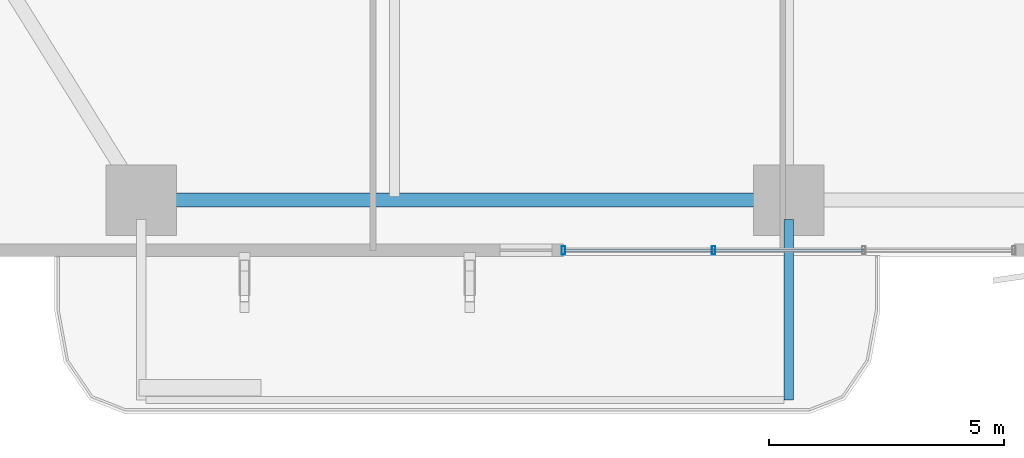
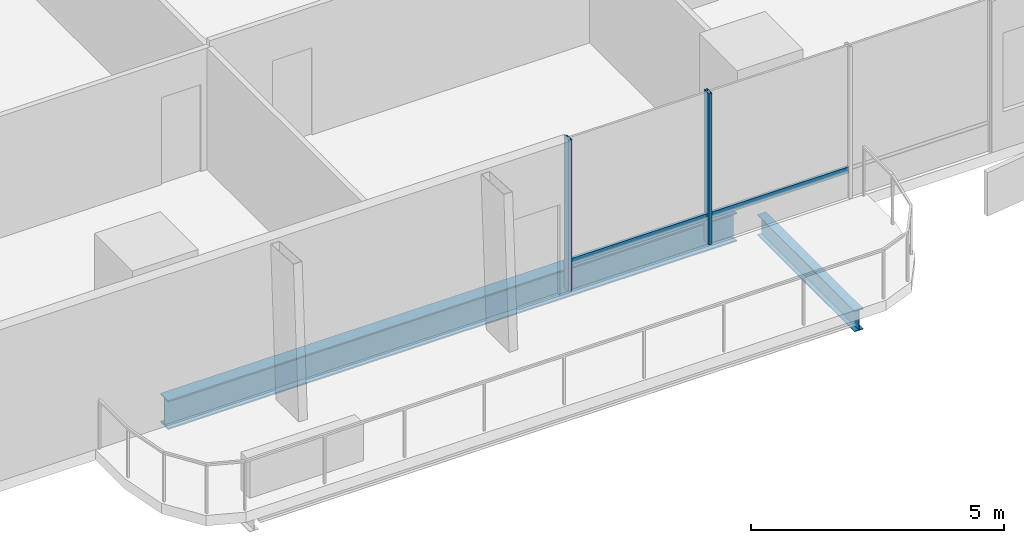
# One storey, part 2 of 23: 4 members, 2 beams, 1 element without a shape of its own.
"""IFC4 building model written with IfcOpenShell, lengths in metres."""

import ifcopenshell
import ifcopenshell.guid

model = None  # the IFC model being written
_history = None  # IfcOwnerHistory: only IFC2X3 demands one
_inside = {}  # id of a spatial element -> (the spatial element, [elements in it])
_under = {}  # id of a project, library or spatial element -> (it, [spatial elements below it])
_declared = {}  # id of a project -> (the project, [libraries it declares])
_typed = {}  # id of a type object -> (the type object, [elements of that type])
_made_of = {}  # id of a material, layer set ... -> (it, [elements and type objects made of it])


def new_model(schema):
    """Start an empty IFC model of exactly this schema.

    Asked for "IFC4X3", IfcOpenShell would pick the latest addendum, in which some entities
    have other attributes; the version numbers below select the first issue.
    IFC2X3 requires an IfcOwnerHistory on every rooted entity: one is made here for all.
    """
    global model, _history
    if schema == "IFC4X3":
        model = ifcopenshell.file(schema_version=(4, 3, 0, 0))
    else:
        model = ifcopenshell.file(schema=schema)
    _inside.clear()
    _under.clear()
    _declared.clear()
    _typed.clear()
    _made_of.clear()
    _history = None
    if model.schema == "IFC2X3":
        org = make("IfcOrganization", Name="unknown")
        user = make(
            "IfcPersonAndOrganization",
            ThePerson=make("IfcPerson", FamilyName="unknown"),
            TheOrganization=org,
        )
        app = make(
            "IfcApplication",
            ApplicationDeveloper=org,
            Version="unknown",
            ApplicationFullName="unknown",
            ApplicationIdentifier="unknown",
        )
        _history = make(
            "IfcOwnerHistory",
            OwningUser=user,
            OwningApplication=app,
            ChangeAction="ADDED",
            CreationDate=0,
        )
    return model


def make(cls, **values):
    """One entity of the class cls with the attributes given. An attribute that is None is left unset."""
    return model.create_entity(
        cls, **{name: value for name, value in values.items() if value is not None}
    )


def rooted(cls, **values):
    """An entity with a GlobalId (a new one), such as an element, a storey or a relation."""
    return make(cls, GlobalId=ifcopenshell.guid.new(), OwnerHistory=_history, **values)


def si_unit(unit_type, name, prefix=None):
    """IfcSIUnit, for example si_unit("LENGTHUNIT", "METRE", prefix="MILLI")."""
    return make("IfcSIUnit", UnitType=unit_type, Prefix=prefix, Name=name)


def assignment(units):
    """IfcUnitAssignment: the units of a project."""
    return None if units is None else make("IfcUnitAssignment", Units=units)


def point(xyz):
    """IfcCartesianPoint."""
    return None if xyz is None else make("IfcCartesianPoint", Coordinates=xyz)


def direction(xyz):
    """IfcDirection."""
    return None if xyz is None else make("IfcDirection", DirectionRatios=xyz)


def frame(location, z_axis=None, x_axis=None):
    """IfcAxis2Placement3D, a coordinate frame: its origin and axes. An axis left out is left unset."""
    return make(
        "IfcAxis2Placement3D",
        Location=point(location),
        Axis=direction(z_axis),
        RefDirection=direction(x_axis),
    )


def frame_2d(location, x_axis=None):
    """IfcAxis2Placement2D, a coordinate frame in the plane: its origin and x axis."""
    return make(
        "IfcAxis2Placement2D", Location=point(location), RefDirection=direction(x_axis)
    )


def origin():
    """The frame at (0, 0, 0) with its axes left unset."""
    return frame((0.0, 0.0, 0.0))


def origin_2d():
    """The frame at (0, 0) in the plane with its x axis left unset."""
    return frame_2d((0.0, 0.0))


def place(relative_to, where):
    """IfcLocalPlacement: puts the frame where relative to a parent placement (None: the world)."""
    return make(
        "IfcLocalPlacement", PlacementRelTo=relative_to, RelativePlacement=where
    )


def context(
    kind, dimensions, precision=None, world=None, true_north=None, identifier=None
):
    """IfcGeometricRepresentationContext, for example the 3D "Model" context."""
    return make(
        "IfcGeometricRepresentationContext",
        ContextIdentifier=identifier,
        ContextType=kind,
        CoordinateSpaceDimension=dimensions,
        Precision=precision,
        WorldCoordinateSystem=world,
        TrueNorth=true_north,
    )


def subcontext(parent, identifier, kind, view, scale=None):
    """IfcGeometricRepresentationSubContext, for example "Body" below "Model"."""
    return make(
        "IfcGeometricRepresentationSubContext",
        ContextIdentifier=identifier,
        ContextType=kind,
        ParentContext=parent,
        TargetScale=scale,
        TargetView=view,
    )


def project(units=None, contexts=None):
    """IfcProject with its units and contexts."""
    return rooted(
        "IfcProject",
        Name="project",
        RepresentationContexts=contexts,
        UnitsInContext=assignment(units),
    )


def spatial(cls, under=None, at=None, **own):
    """A site, building, storey or space (cls), placed at a placement, below another one or the project."""
    s = rooted(cls, ObjectPlacement=at, **own)
    if under is not None:
        _under.setdefault(under.id(), (under, []))[1].append(s)
    return s


def profile(cls, at=None, kind="AREA", **sizes):
    """A parametric profile (cls). Its sizes go by their IFC names, for example OverallWidth=200.0."""
    return make(cls, ProfileType=kind, Position=at, **sizes)


def hollow_rectangle(**sizes):
    """IfcRectangleHollowProfileDef."""
    return profile("IfcRectangleHollowProfileDef", **sizes)


def i_section(**sizes):
    """IfcIShapeProfileDef."""
    return profile("IfcIShapeProfileDef", **sizes)


def extrude(swept, where, along, depth):
    """IfcExtrudedAreaSolid: the profile swept, set in the frame where, extruded along a direction by depth."""
    return make(
        "IfcExtrudedAreaSolid",
        SweptArea=swept,
        Position=where,
        ExtrudedDirection=direction(along),
        Depth=depth,
    )


def shape(context_of_items, identifier, shape_type, items):
    """IfcShapeRepresentation: the items that make up one representation, for example the "Body"."""
    return make(
        "IfcShapeRepresentation",
        ContextOfItems=context_of_items,
        RepresentationIdentifier=identifier,
        RepresentationType=shape_type,
        Items=items,
    )


def material(Name=None, Category=None):
    """IfcMaterial."""
    return make("IfcMaterial", Name=Name, Category=Category)


def layer(
    of_material, thickness, ventilated=None, Name=None, Category=None, Priority=None
):
    """IfcMaterialLayer: one layer of a wall or slab, of a material (None: an air gap)."""
    return make(
        "IfcMaterialLayer",
        Material=of_material,
        LayerThickness=thickness,
        IsVentilated=ventilated,
        Name=Name,
        Category=Category,
        Priority=Priority,
    )


def layer_set(layers, Name=None):
    """IfcMaterialLayerSet."""
    return make("IfcMaterialLayerSet", MaterialLayers=layers, LayerSetName=Name)


def material_profile(
    of_material, cross_section, Name=None, Category=None, Priority=None
):
    """IfcMaterialProfile: a cross section and its material."""
    return make(
        "IfcMaterialProfile",
        Name=Name,
        Material=of_material,
        Profile=cross_section,
        Priority=Priority,
        Category=Category,
    )


def profile_set(profiles, Name=None, composite=None):
    """IfcMaterialProfileSet."""
    return make(
        "IfcMaterialProfileSet",
        Name=Name,
        MaterialProfiles=profiles,
        CompositeProfile=composite,
    )


def made_of(thing, what):
    """Note that an element or type object is made of a material, layer set ...; save() writes the relation."""
    if what is not None:
        _made_of.setdefault(what.id(), (what, []))[1].append(thing)
    return thing


def type_object(cls, material=None, **own):
    """A type object (cls), such as IfcWallType, which elements share."""
    return made_of(rooted(cls, **own), material)


def element(
    cls,
    number,
    at=None,
    inside=None,
    cuts=None,
    type_object=None,
    material=None,
    context=None,
    identifier="Body",
    shape_type=None,
    held_by="IfcProductDefinitionShape",
    body=None,
    shapes=None,
    **own,
):
    """One element of the class cls, such as IfcWall. Its Tag is "e" and its number.

    at: its placement. inside: the storey or other place that contains it. cuts: it is an
    opening in that element (IfcRelVoidsElement). A single representation is given by context,
    identifier, shape_type and body (its items); several are given by shapes. held_by: the class
    of the entity that holds the representations. save() writes the other relations.
    """
    e = rooted(cls, Tag="e%d" % number, ObjectPlacement=at, **own)
    if body is not None:
        shapes = [shape(context, identifier, shape_type, body)]
    if shapes is not None:
        e.Representation = make(held_by, Representations=shapes)
    if inside is not None:
        _inside.setdefault(inside.id(), (inside, []))[1].append(e)
    if cuts is not None:
        rooted(
            "IfcRelVoidsElement", RelatingBuildingElement=cuts, RelatedOpeningElement=e
        )
    if type_object is not None:
        _typed.setdefault(type_object.id(), (type_object, []))[1].append(e)
    return made_of(e, material)


def aggregate(whole, parts):
    """IfcRelAggregates: a whole, such as a stair, and the parts it consists of."""
    return rooted("IfcRelAggregates", RelatingObject=whole, RelatedObjects=parts)


def save(model, path):
    """Write the relations noted so far, then the file.

    IfcRelAggregates (storeys below a building ...), IfcRelContainedInSpatialStructure (elements
    in a storey), IfcRelDefinesByType, IfcRelAssociatesMaterial and IfcRelDeclares: one each for
    every whole, place, type object, material and project.
    """
    for whole, parts in _under.values():
        aggregate(whole, parts)
    for where, things in _inside.values():
        rooted(
            "IfcRelContainedInSpatialStructure",
            RelatedElements=things,
            RelatingStructure=where,
        )
    for kind, things in _typed.values():
        rooted("IfcRelDefinesByType", RelatedObjects=things, RelatingType=kind)
    for what, things in _made_of.values():
        rooted("IfcRelAssociatesMaterial", RelatedObjects=things, RelatingMaterial=what)
    for by, libraries in _declared.values():
        rooted("IfcRelDeclares", RelatingContext=by, RelatedDefinitions=libraries)
    model.write(path)


model = new_model("IFC4")

# Units and contexts
model_context = context("Model", 3, precision=1e-05, world=origin(), true_north=direction((0.0, 1.0)))
body_context = subcontext(model_context, "Body", "Model", "MODEL_VIEW")
ifc_project = project(units=[si_unit("LENGTHUNIT", "METRE"), si_unit("AREAUNIT", "SQUARE_METRE"), si_unit("VOLUMEUNIT", "CUBIC_METRE"), si_unit("PLANEANGLEUNIT", "RADIAN"), si_unit("MASSUNIT", "GRAM", prefix="KILO")], contexts=[model_context])

# Site, building, storey
site_placement = place(None, origin())
site = spatial("IfcSite", under=ifc_project, at=site_placement, CompositionType="ELEMENT")
building_placement = place(site_placement, origin())
building = spatial("IfcBuilding", under=site, at=building_placement, Name="Belovzor Exchange Tower", CompositionType="ELEMENT")
storey_placement = place(building_placement, frame((0.0, 0.0, 88.5)))
storey = spatial("IfcBuildingStorey", under=building, at=storey_placement, Name="L21", CompositionType="ELEMENT", Elevation=88.5)

# Beam
ifc_material_1 = material(Name="Steel S355", Category="steel")
ifc_material_profile_1 = material_profile(ifc_material_1, i_section(OverallWidth=0.199951171875, OverallDepth=0.5, WebThickness=0.01025390625, FlangeThickness=0.01611328125, at=origin_2d()))
ifc_profile_set_1 = profile_set([ifc_material_profile_1], Name="Steel S355")
beam_type_1 = type_object("IfcBeamType", Name="Planted Balcony Cantilever Beam IPE 500", PredefinedType="BEAM", material=ifc_profile_set_1)
beam_1_placement = place(storey_placement, frame((28.800048828125, 1.68798828125, -0.5), z_axis=(0.0, -1.0, 0.0), x_axis=(1.0, 0.0, 0.0)))
element("IfcBeam", 1, at=beam_1_placement, inside=storey, type_object=beam_type_1, Name="BC-500 Planted Balcony Cantilever Beam IPE 500", PredefinedType="BEAM", context=body_context, shape_type="SweptSolid", body=[
    extrude(i_section(OverallWidth=0.199951171875, OverallDepth=0.5, WebThickness=0.01025390625, FlangeThickness=0.01611328125, at=origin_2d()), origin(), (0.0, 0.0, 1.0), 3.85009765625),
])

# Curtain wall, members
ifc_material_2 = material(Name="Anodised Aluminium Framing", Category="aluminium")
ifc_layer = layer(ifc_material_2, 0.179931640625)
ifc_layer_set = layer_set([ifc_layer], Name="Anodised Aluminium Framing")
curtain_wall_type = type_object("IfcCurtainWallType", Name="Recessed Loggia Low-Iron Triple-Glazed Curtain Wall", PredefinedType="NOTDEFINED", material=ifc_layer_set)
curtain_wall_placement = place(storey_placement, origin())
curtain_wall = element("IfcCurtainWall", 2, at=curtain_wall_placement, inside=storey, type_object=curtain_wall_type, Name="CW3 Recessed Loggia Low-Iron Triple-Glazed Curtain Wall L21", PredefinedType="NOTDEFINED")
ifc_material_3 = material(Name="Steel S355", Category="steel")
ifc_material_profile_2 = material_profile(ifc_material_3, hollow_rectangle(XDim=0.074951171875, YDim=0.179931640625, WallThickness=0.0048828125, at=origin_2d()))
ifc_profile_set_2 = profile_set([ifc_material_profile_2], Name="Steel S355")
member_type_1 = type_object("IfcMemberType", Name="Thermally Broken Curtain Wall Mullion 180x75", PredefinedType="MULLION", material=ifc_profile_set_2)
member_1_placement = place(storey_placement, frame((27.199951171875, 1.030029296875, 0.0), z_axis=(0.0, 0.0, 1.0), x_axis=(-1.0, 0.0, 0.0)))
member_1 = element("IfcMember", 3, at=member_1_placement, type_object=member_type_1, Name="CW-M180 Curtain Wall Mullion 3", PredefinedType="MULLION", context=body_context, shape_type="SweptSolid", body=[
    extrude(hollow_rectangle(XDim=0.074951171875, YDim=0.179931640625, WallThickness=0.0048828125, at=origin_2d()), origin(), (0.0, 0.0, 1.0), 3.64990234375),
])
member_2_placement = place(storey_placement, frame((24.0, 1.030029296875, 0.0), z_axis=(0.0, 0.0, 1.0), x_axis=(-1.0, 0.0, 0.0)))
member_2 = element("IfcMember", 4, at=member_2_placement, type_object=member_type_1, Name="CW-M180 Curtain Wall Mullion 4", PredefinedType="MULLION", context=body_context, shape_type="SweptSolid", body=[
    extrude(hollow_rectangle(XDim=0.074951171875, YDim=0.179931640625, WallThickness=0.0048828125, at=origin_2d()), origin(), (0.0, 0.0, 1.0), 3.64990234375),
])
ifc_material_4 = material(Name="Steel S355", Category="steel")
ifc_material_profile_3 = material_profile(ifc_material_4, hollow_rectangle(XDim=0.06005859375, YDim=0.14990234375, WallThickness=0.00390625, at=origin_2d()))
ifc_profile_set_3 = profile_set([ifc_material_profile_3], Name="Steel S355")
member_type_2 = type_object("IfcMemberType", Name="Thermally Broken Curtain Wall Transom 150x60", PredefinedType="USERDEFINED", material=ifc_profile_set_3)
member_3_placement = place(storey_placement, frame((30.39208984375, 1.030029296875, 0.64990234375), z_axis=(-1.0, 0.0, 0.0), x_axis=(0.0, -1.0, 0.0)))
member_3 = element("IfcMember", 5, at=member_3_placement, type_object=member_type_2, Name="CW-T150 Curtain Wall Transom 2", ObjectType="TRANSOM", PredefinedType="USERDEFINED", context=body_context, shape_type="SweptSolid", body=[
    extrude(hollow_rectangle(XDim=0.06005859375, YDim=0.14990234375, WallThickness=0.00390625, at=origin_2d()), origin(), (0.0, 0.0, 1.0), 3.18408203125),
])
member_4_placement = place(storey_placement, frame((27.19189453125, 1.030029296875, 0.64990234375), z_axis=(-1.0, 0.0, 0.0), x_axis=(0.0, -1.0, 0.0)))
member_4 = element("IfcMember", 6, at=member_4_placement, type_object=member_type_2, Name="CW-T150 Curtain Wall Transom 3", ObjectType="TRANSOM", PredefinedType="USERDEFINED", context=body_context, shape_type="SweptSolid", body=[
    extrude(hollow_rectangle(XDim=0.06005859375, YDim=0.14990234375, WallThickness=0.00390625, at=origin_2d()), origin(), (0.0, 0.0, 1.0), 3.183837890625),
])
aggregate(curtain_wall, [member_1, member_2, member_3, member_4])

# Beam
ifc_material_5 = material(Name="Steel S355", Category="steel")
ifc_material_profile_4 = material_profile(ifc_material_5, i_section(OverallWidth=0.300048828125, OverallDepth=0.699951171875, WebThickness=0.01708984375, FlangeThickness=0.031982421875, at=origin_2d()))
ifc_profile_set_4 = profile_set([ifc_material_profile_4], Name="Steel S355")
beam_type_2 = type_object("IfcBeamType", Name="Zone 1 Primary Perimeter Girder HEB 700", PredefinedType="BEAM", material=ifc_profile_set_4)
beam_2_placement = place(storey_placement, frame((15.412109375, 2.10009765625, -0.60009765625), z_axis=(1.0, 0.0, 0.0), x_axis=(0.0, 1.0, 0.0)))
element("IfcBeam", 7, at=beam_2_placement, inside=storey, type_object=beam_type_2, Name="FG-Z1 Zone 1 Primary Perimeter Girder HEB 700", PredefinedType="BEAM", context=body_context, shape_type="SweptSolid", body=[
    extrude(i_section(OverallWidth=0.300048828125, OverallDepth=0.699951171875, WebThickness=0.01708984375, FlangeThickness=0.031982421875, at=origin_2d()), origin(), (0.0, 0.0, 1.0), 12.974853515625),
])

save(model, "model.ifc")
